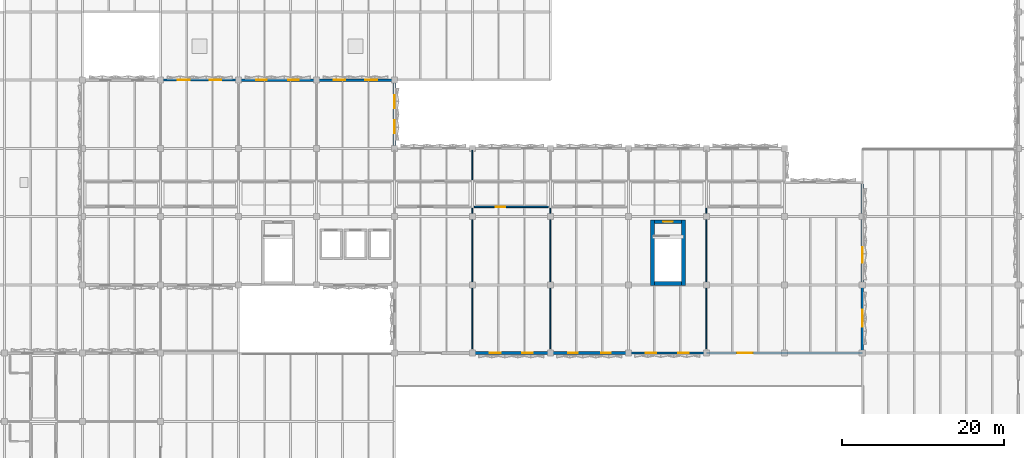
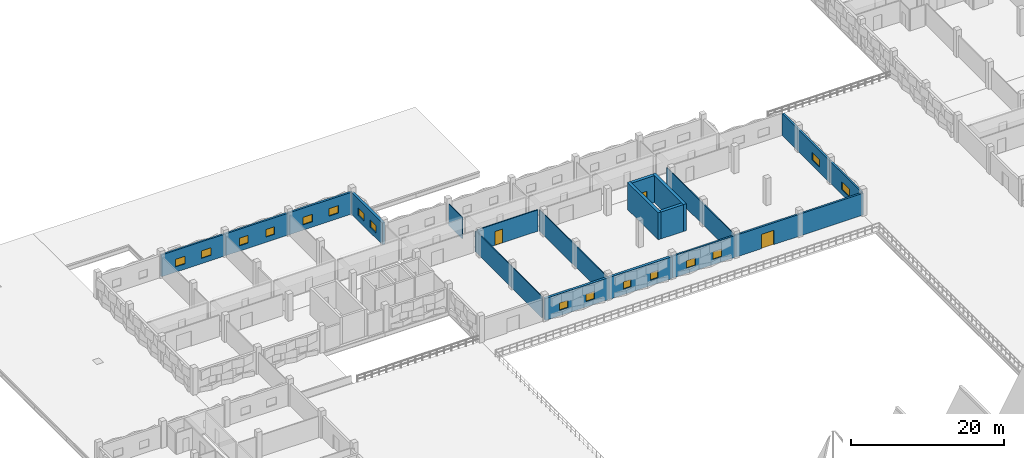
# One storey, part 58 of 86: 19 walls, 16 windows, 3 doors, 19 openings.
"""IFC4 building model written with IfcOpenShell, lengths in metres."""

from ifc_helpers import new_model, si_unit, direction, frame, frame_2d, origin, place, context, subcontext, project, spatial, rectangle, extrude, material, layer, layer_set, type_object, element, fill, save


model = new_model("IFC4")

# Units and contexts
model_context = context("Model", 3, precision=1e-05, world=origin(), true_north=direction((0.0, 1.0)))
body_context = subcontext(model_context, "Body", "Model", "MODEL_VIEW")
ifc_project = project(units=[si_unit("LENGTHUNIT", "METRE"), si_unit("AREAUNIT", "SQUARE_METRE"), si_unit("VOLUMEUNIT", "CUBIC_METRE"), si_unit("PLANEANGLEUNIT", "RADIAN"), si_unit("MASSUNIT", "GRAM", prefix="KILO")], contexts=[model_context])

# Site, building, storey
site_placement = place(None, origin())
site = spatial("IfcSite", under=ifc_project, at=site_placement, CompositionType="ELEMENT")
building_placement = place(site_placement, origin())
building = spatial("IfcBuilding", under=site, at=building_placement, Name="Oolite Switchyard Hospital", CompositionType="ELEMENT")
storey_placement = place(building_placement, frame((0.0, 0.0, 13.5)))
storey = spatial("IfcBuildingStorey", under=building, at=storey_placement, Name="L03", CompositionType="ELEMENT", Elevation=13.5)

# Wall, openings, windows
ifc_material_1 = material(Name="Precast oolitic limestone architectural concrete C40/50", Category="masonry")
ifc_layer_1 = layer(ifc_material_1, 0.260009765625)
ifc_layer_set_1 = layer_set([ifc_layer_1], Name="WAL-EXT-260")
wall_type_1 = type_object("IfcWallType", Name="WAL-EXT-260", PredefinedType="SOLIDWALL", material=ifc_layer_set_1)
wall_1_placement = place(storey_placement, frame((96.0, 84.0, 0.0), z_axis=(0.0, 0.0, 1.0), x_axis=(-1.0, 0.0, 0.0)))
wall_1 = element("IfcWall", 1, at=wall_1_placement, inside=storey, type_object=wall_type_1, Name="L03 Exterior Spandrel Wall 186", PredefinedType="SOLIDWALL", context=body_context, shape_type="SweptSolid", body=[
    extrude(rectangle(XDim=9.60009765625, YDim=0.260009765625, at=frame_2d((4.800048828125, 0.0))), origin(), (0.0, 0.0, 1.0), 3.489990234375),
])
opening_1_placement = place(wall_1_placement, frame((2.157958984375, 0.0, 0.85009765625)))
opening_1 = element("IfcOpeningElement", 2, at=opening_1_placement, cuts=wall_1, Name="Opening WN-0079", PredefinedType="OPENING", context=body_context, shape_type="SweptSolid", body=[
    extrude(rectangle(XDim=1.300048828125, YDim=1.199951171875, at=frame_2d((0.64990234375, 0.60009765625))), frame((0.0, 0.14013671875, 0.0), z_axis=(0.0, -1.0, 0.0), x_axis=(1.0, 0.0, 0.0)), (0.0, 0.0, 1.0), 0.280029296875),
])
opening_2_placement = place(wall_1_placement, frame((6.14208984375, 0.0, 0.85009765625)))
opening_2 = element("IfcOpeningElement", 3, at=opening_2_placement, cuts=wall_1, Name="Opening WN-0080", PredefinedType="OPENING", context=body_context, shape_type="SweptSolid", body=[
    extrude(rectangle(XDim=1.300048828125, YDim=1.199951171875, at=frame_2d((0.64990234375, 0.60009765625))), frame((0.0, 0.14013671875, 0.0), z_axis=(0.0, -1.0, 0.0), x_axis=(1.0, 0.0, 0.0)), (0.0, 0.0, 1.0), 0.280029296875),
])
ifc_material_2 = material(Name="Thermally broken aluminum frame with laminated impact glazing", Category="aluminium")
window_type_1 = type_object("IfcWindowType", Name="WIN-IMP-130X120", PartitioningType="SINGLE_PANEL", PredefinedType="WINDOW", material=ifc_material_2)
window_1_placement = place(opening_1_placement, origin())
window_1 = element("IfcWindow", 4, at=window_1_placement, inside=storey, type_object=window_type_1, Name="L03 Hurricane Impact Window WN-0079", OverallHeight=1.199951171875, OverallWidth=1.300048828125, PartitioningType="SINGLE_PANEL", PredefinedType="WINDOW", context=body_context, shape_type="SweptSolid", body=[
    extrude(rectangle(XDim=1.300048828125, YDim=1.199951171875, at=frame_2d((0.64990234375, 0.60009765625))), frame((0.0, 0.030029296875, 0.0), z_axis=(0.0, -1.0, 0.0), x_axis=(1.0, 0.0, 0.0)), (0.0, 0.0, 1.0), 0.06005859375),
])
fill(opening_1, window_1)
window_2_placement = place(opening_2_placement, origin())
window_2 = element("IfcWindow", 5, at=window_2_placement, inside=storey, type_object=window_type_1, Name="L03 Hurricane Impact Window WN-0080", OverallHeight=1.199951171875, OverallWidth=1.300048828125, PartitioningType="SINGLE_PANEL", PredefinedType="WINDOW", context=body_context, shape_type="SweptSolid", body=[
    extrude(rectangle(XDim=1.300048828125, YDim=1.199951171875, at=frame_2d((0.64990234375, 0.60009765625))), frame((0.0, 0.030029296875, 0.0), z_axis=(0.0, -1.0, 0.0), x_axis=(1.0, 0.0, 0.0)), (0.0, 0.0, 1.0), 0.06005859375),
])
fill(opening_2, window_2)

wall_2_placement = place(storey_placement, frame((28.800048828125, 117.60009765625, 0.0), z_axis=(0.0, 0.0, 1.0), x_axis=(1.0, 0.0, 0.0)))
wall_2 = element("IfcWall", 6, at=wall_2_placement, inside=storey, type_object=wall_type_1, Name="L03 Exterior Spandrel Wall 207", PredefinedType="SOLIDWALL", context=body_context, shape_type="SweptSolid", body=[
    extrude(rectangle(XDim=9.599853515625, YDim=0.260009765625, at=frame_2d((4.7998046875, 0.0))), origin(), (0.0, 0.0, 1.0), 3.489990234375),
])
opening_3_placement = place(wall_2_placement, frame((2.118896484375, 0.0, 0.85009765625)))
opening_3 = element("IfcOpeningElement", 7, at=opening_3_placement, cuts=wall_2, Name="Opening WN-0115", PredefinedType="OPENING", context=body_context, shape_type="SweptSolid", body=[
    extrude(rectangle(XDim=1.449951171875, YDim=1.199951171875, at=frame_2d((0.72509765625, 0.60009765625))), frame((0.0, 0.14013671875, 0.0), z_axis=(0.0, -1.0, 0.0), x_axis=(1.0, 0.0, 0.0)), (0.0, 0.0, 1.0), 0.280029296875),
])
opening_4_placement = place(wall_2_placement, frame((6.031005859375, 0.0, 0.85009765625)))
opening_4 = element("IfcOpeningElement", 8, at=opening_4_placement, cuts=wall_2, Name="Opening WN-0116", PredefinedType="OPENING", context=body_context, shape_type="SweptSolid", body=[
    extrude(rectangle(XDim=1.449951171875, YDim=1.199951171875, at=frame_2d((0.72509765625, 0.60009765625))), frame((0.0, 0.14013671875, 0.0), z_axis=(0.0, -1.0, 0.0), x_axis=(1.0, 0.0, 0.0)), (0.0, 0.0, 1.0), 0.280029296875),
])
window_type_2 = type_object("IfcWindowType", Name="WIN-IMP-145X120", PartitioningType="SINGLE_PANEL", PredefinedType="WINDOW", material=ifc_material_2)
window_3_placement = place(opening_3_placement, origin())
window_3 = element("IfcWindow", 9, at=window_3_placement, inside=storey, type_object=window_type_2, Name="L03 Hurricane Impact Window WN-0115", OverallHeight=1.199951171875, OverallWidth=1.449951171875, PartitioningType="SINGLE_PANEL", PredefinedType="WINDOW", context=body_context, shape_type="SweptSolid", body=[
    extrude(rectangle(XDim=1.449951171875, YDim=1.199951171875, at=frame_2d((0.72509765625, 0.60009765625))), frame((0.0, 0.030029296875, 0.0), z_axis=(0.0, -1.0, 0.0), x_axis=(1.0, 0.0, 0.0)), (0.0, 0.0, 1.0), 0.06005859375),
])
fill(opening_3, window_3)
window_4_placement = place(opening_4_placement, origin())
window_4 = element("IfcWindow", 10, at=window_4_placement, inside=storey, type_object=window_type_2, Name="L03 Hurricane Impact Window WN-0116", OverallHeight=1.199951171875, OverallWidth=1.449951171875, PartitioningType="SINGLE_PANEL", PredefinedType="WINDOW", context=body_context, shape_type="SweptSolid", body=[
    extrude(rectangle(XDim=1.449951171875, YDim=1.199951171875, at=frame_2d((0.72509765625, 0.60009765625))), frame((0.0, 0.030029296875, 0.0), z_axis=(0.0, -1.0, 0.0), x_axis=(1.0, 0.0, 0.0)), (0.0, 0.0, 1.0), 0.06005859375),
])
fill(opening_4, window_4)

# Wall, opening, window
wall_3_placement = place(storey_placement, frame((115.199951171875, 92.39990234375, 0.0), z_axis=(0.0, 0.0, 1.0), x_axis=(0.0, -1.0, 0.0)))
wall_3 = element("IfcWall", 11, at=wall_3_placement, inside=storey, type_object=wall_type_1, Name="L03 Exterior Spandrel Wall 235", PredefinedType="SOLIDWALL", context=body_context, shape_type="SweptSolid", body=[
    extrude(rectangle(XDim=8.239990234375, YDim=0.260009765625, at=frame_2d((4.1201171875, 0.0))), origin(), (0.0, 0.0, 1.0), 3.489990234375),
])
opening_5_placement = place(wall_3_placement, frame((3.094970703125, 0.0, 0.85009765625)))
opening_5 = element("IfcOpeningElement", 12, at=opening_5_placement, cuts=wall_3, Name="Opening WN-0137", PredefinedType="OPENING", context=body_context, shape_type="SweptSolid", body=[
    extrude(rectangle(XDim=2.050048828125, YDim=1.199951171875, at=frame_2d((1.02490234375, 0.60009765625))), frame((0.0, 0.14013671875, 0.0), z_axis=(0.0, -1.0, 0.0), x_axis=(1.0, 0.0, 0.0)), (0.0, 0.0, 1.0), 0.280029296875),
])
window_type_3 = type_object("IfcWindowType", Name="WIN-IMP-205X120", PartitioningType="SINGLE_PANEL", PredefinedType="WINDOW", material=ifc_material_2)
window_5_placement = place(opening_5_placement, origin())
window_5 = element("IfcWindow", 13, at=window_5_placement, inside=storey, type_object=window_type_3, Name="L03 Hurricane Impact Window WN-0137", OverallHeight=1.199951171875, OverallWidth=2.050048828125, PartitioningType="SINGLE_PANEL", PredefinedType="WINDOW", context=body_context, shape_type="SweptSolid", body=[
    extrude(rectangle(XDim=2.050048828125, YDim=1.199951171875, at=frame_2d((1.02490234375, 0.60009765625))), frame((0.0, 0.030029296875, 0.0), z_axis=(0.0, -1.0, 0.0), x_axis=(1.0, 0.0, 0.0)), (0.0, 0.0, 1.0), 0.06005859375),
])
fill(opening_5, window_5)

# Wall, opening, door
ifc_layer_2 = layer(ifc_material_1, 0.280029296875)
ifc_layer_set_2 = layer_set([ifc_layer_2], Name="WAL-EXT-280")
wall_type_2 = type_object("IfcWallType", Name="WAL-EXT-280", PredefinedType="SOLIDWALL", material=ifc_layer_set_2)
wall_4_placement = place(storey_placement, frame((115.199951171875, 84.0, 0.0), z_axis=(0.0, 0.0, 1.0), x_axis=(-1.0, 0.0, 0.0)))
wall_4 = element("IfcWall", 14, at=wall_4_placement, inside=storey, type_object=wall_type_2, Name="L03 Exterior Spandrel Wall 187", PredefinedType="SOLIDWALL", context=body_context, shape_type="SweptSolid", body=[
    extrude(rectangle(XDim=19.199951171875, YDim=0.280029296875, at=frame_2d((9.60009765625, 0.0))), origin(), (0.0, 0.0, 1.0), 3.489990234375),
])
opening_6_placement = place(wall_4_placement, frame((13.5, 0.0, 0.0)))
opening_6 = element("IfcOpeningElement", 15, at=opening_6_placement, cuts=wall_4, Name="Opening EX-21", PredefinedType="OPENING", context=body_context, shape_type="SweptSolid", body=[
    extrude(rectangle(XDim=1.89990234375, YDim=2.300048828125, at=frame_2d((0.949951171875, 1.14990234375))), frame((0.0, 0.14990234375, 0.0), z_axis=(0.0, -1.0, 0.0), x_axis=(1.0, 0.0, 0.0)), (0.0, 0.0, 1.0), 0.300048828125),
])
door_type_1 = type_object("IfcDoorType", Name="DR-TER-190X230", OperationType="NOTDEFINED", PredefinedType="DOOR", material=ifc_material_2)
door_1_placement = place(opening_6_placement, origin())
door_1 = element("IfcDoor", 16, at=door_1_placement, inside=storey, type_object=door_type_1, Name="L03 Exterior EX EX-21", OperationType="DOUBLE_DOOR_SINGLE_SWING", OverallHeight=2.300048828125, OverallWidth=1.89990234375, PredefinedType="DOOR", context=body_context, shape_type="SweptSolid", body=[
    extrude(rectangle(XDim=1.89990234375, YDim=2.300048828125, at=frame_2d((0.949951171875, 1.14990234375))), frame((0.0, 0.02490234375, 0.0), z_axis=(0.0, -1.0, 0.0), x_axis=(1.0, 0.0, 0.0)), (0.0, 0.0, 1.0), 0.050048828125),
])
fill(opening_6, door_1)

# Wall, openings, windows
wall_5_placement = place(storey_placement, frame((38.39990234375, 117.60009765625, 0.0), z_axis=(0.0, 0.0, 1.0), x_axis=(1.0, 0.0, 0.0)))
wall_5 = element("IfcWall", 17, at=wall_5_placement, inside=storey, type_object=wall_type_2, Name="L03 Exterior Spandrel Wall 208", PredefinedType="SOLIDWALL", context=body_context, shape_type="SweptSolid", body=[
    extrude(rectangle(XDim=9.60009765625, YDim=0.280029296875, at=frame_2d((4.800048828125, 0.0))), origin(), (0.0, 0.0, 1.0), 3.489990234375),
])
opening_7_placement = place(wall_5_placement, frame((2.157958984375, 0.0, 0.85009765625)))
opening_7 = element("IfcOpeningElement", 18, at=opening_7_placement, cuts=wall_5, Name="Opening WN-0117", PredefinedType="OPENING", context=body_context, shape_type="SweptSolid", body=[
    extrude(rectangle(XDim=1.300048828125, YDim=1.199951171875, at=frame_2d((0.64990234375, 0.60009765625))), frame((0.0, 0.14990234375, 0.0), z_axis=(0.0, -1.0, 0.0), x_axis=(1.0, 0.0, 0.0)), (0.0, 0.0, 1.0), 0.300048828125),
])
opening_8_placement = place(wall_5_placement, frame((6.14208984375, 0.0, 0.85009765625)))
opening_8 = element("IfcOpeningElement", 19, at=opening_8_placement, cuts=wall_5, Name="Opening WN-0118", PredefinedType="OPENING", context=body_context, shape_type="SweptSolid", body=[
    extrude(rectangle(XDim=1.300048828125, YDim=1.199951171875, at=frame_2d((0.64990234375, 0.60009765625))), frame((0.0, 0.14990234375, 0.0), z_axis=(0.0, -1.0, 0.0), x_axis=(1.0, 0.0, 0.0)), (0.0, 0.0, 1.0), 0.300048828125),
])
window_6_placement = place(opening_7_placement, origin())
window_6 = element("IfcWindow", 20, at=window_6_placement, inside=storey, type_object=window_type_1, Name="L03 Hurricane Impact Window WN-0117", OverallHeight=1.199951171875, OverallWidth=1.300048828125, PartitioningType="SINGLE_PANEL", PredefinedType="WINDOW", context=body_context, shape_type="SweptSolid", body=[
    extrude(rectangle(XDim=1.300048828125, YDim=1.199951171875, at=frame_2d((0.64990234375, 0.60009765625))), frame((0.0, 0.030029296875, 0.0), z_axis=(0.0, -1.0, 0.0), x_axis=(1.0, 0.0, 0.0)), (0.0, 0.0, 1.0), 0.06005859375),
])
fill(opening_7, window_6)
window_7_placement = place(opening_8_placement, origin())
window_7 = element("IfcWindow", 21, at=window_7_placement, inside=storey, type_object=window_type_1, Name="L03 Hurricane Impact Window WN-0118", OverallHeight=1.199951171875, OverallWidth=1.300048828125, PartitioningType="SINGLE_PANEL", PredefinedType="WINDOW", context=body_context, shape_type="SweptSolid", body=[
    extrude(rectangle(XDim=1.300048828125, YDim=1.199951171875, at=frame_2d((0.64990234375, 0.60009765625))), frame((0.0, 0.030029296875, 0.0), z_axis=(0.0, -1.0, 0.0), x_axis=(1.0, 0.0, 0.0)), (0.0, 0.0, 1.0), 0.06005859375),
])
fill(opening_8, window_7)

# Wall, opening, window
wall_6_placement = place(storey_placement, frame((115.199951171875, 104.840087890625, 0.0), z_axis=(0.0, 0.0, 1.0), x_axis=(0.0, -1.0, 0.0)))
wall_6 = element("IfcWall", 22, at=wall_6_placement, inside=storey, type_object=wall_type_2, Name="L03 Exterior Spandrel Wall 236", PredefinedType="SOLIDWALL", context=body_context, shape_type="SweptSolid", body=[
    extrude(rectangle(XDim=12.440185546875, YDim=0.280029296875, at=frame_2d((6.22021484375, 0.0))), origin(), (0.0, 0.0, 1.0), 3.489990234375),
])
opening_9_placement = place(wall_6_placement, frame((7.800048828125, 0.0, 0.85009765625)))
opening_9 = element("IfcOpeningElement", 23, at=opening_9_placement, cuts=wall_6, Name="Opening WN-0138", PredefinedType="OPENING", context=body_context, shape_type="SweptSolid", body=[
    extrude(rectangle(XDim=1.89990234375, YDim=1.199951171875, at=frame_2d((0.949951171875, 0.60009765625))), frame((0.0, 0.14990234375, 0.0), z_axis=(0.0, -1.0, 0.0), x_axis=(1.0, 0.0, 0.0)), (0.0, 0.0, 1.0), 0.300048828125),
])
window_type_4 = type_object("IfcWindowType", Name="WIN-IMP-190X120", PartitioningType="SINGLE_PANEL", PredefinedType="WINDOW", material=ifc_material_2)
window_8_placement = place(opening_9_placement, origin())
window_8 = element("IfcWindow", 24, at=window_8_placement, inside=storey, type_object=window_type_4, Name="L03 Hurricane Impact Window WN-0138", OverallHeight=1.199951171875, OverallWidth=1.89990234375, PartitioningType="SINGLE_PANEL", PredefinedType="WINDOW", context=body_context, shape_type="SweptSolid", body=[
    extrude(rectangle(XDim=1.89990234375, YDim=1.199951171875, at=frame_2d((0.949951171875, 0.60009765625))), frame((0.0, 0.030029296875, 0.0), z_axis=(0.0, -1.0, 0.0), x_axis=(1.0, 0.0, 0.0)), (0.0, 0.0, 1.0), 0.06005859375),
])
fill(opening_9, window_8)

# Wall, openings, windows
ifc_layer_3 = layer(ifc_material_1, 0.300048828125)
ifc_layer_set_3 = layer_set([ifc_layer_3], Name="WAL-EXT-300")
wall_type_3 = type_object("IfcWallType", Name="WAL-EXT-300", PredefinedType="SOLIDWALL", material=ifc_layer_set_3)
wall_7_placement = place(storey_placement, frame((48.0, 117.60009765625, 0.0), z_axis=(0.0, 0.0, 1.0), x_axis=(1.0, 0.0, 0.0)))
wall_7 = element("IfcWall", 25, at=wall_7_placement, inside=storey, type_object=wall_type_3, Name="L03 Exterior Spandrel Wall 209", PredefinedType="SOLIDWALL", context=body_context, shape_type="SweptSolid", body=[
    extrude(rectangle(XDim=9.60009765625, YDim=0.300048828125, at=frame_2d((4.800048828125, 0.0))), origin(), (0.0, 0.0, 1.0), 3.489990234375),
])
opening_10_placement = place(wall_7_placement, frame((2.118896484375, 0.0, 0.85009765625)))
opening_10 = element("IfcOpeningElement", 26, at=opening_10_placement, cuts=wall_7, Name="Opening WN-0119", PredefinedType="OPENING", context=body_context, shape_type="SweptSolid", body=[
    extrude(rectangle(XDim=1.449951171875, YDim=1.199951171875, at=frame_2d((0.72509765625, 0.60009765625))), frame((0.0, 0.16015625, 0.0), z_axis=(0.0, -1.0, 0.0), x_axis=(1.0, 0.0, 0.0)), (0.0, 0.0, 1.0), 0.320068359375),
])
opening_11_placement = place(wall_7_placement, frame((6.031005859375, 0.0, 0.85009765625)))
opening_11 = element("IfcOpeningElement", 27, at=opening_11_placement, cuts=wall_7, Name="Opening WN-0120", PredefinedType="OPENING", context=body_context, shape_type="SweptSolid", body=[
    extrude(rectangle(XDim=1.449951171875, YDim=1.199951171875, at=frame_2d((0.72509765625, 0.60009765625))), frame((0.0, 0.16015625, 0.0), z_axis=(0.0, -1.0, 0.0), x_axis=(1.0, 0.0, 0.0)), (0.0, 0.0, 1.0), 0.320068359375),
])
window_9_placement = place(opening_10_placement, origin())
window_9 = element("IfcWindow", 28, at=window_9_placement, inside=storey, type_object=window_type_2, Name="L03 Hurricane Impact Window WN-0119", OverallHeight=1.199951171875, OverallWidth=1.449951171875, PartitioningType="SINGLE_PANEL", PredefinedType="WINDOW", context=body_context, shape_type="SweptSolid", body=[
    extrude(rectangle(XDim=1.449951171875, YDim=1.199951171875, at=frame_2d((0.72509765625, 0.60009765625))), frame((0.0, 0.030029296875, 0.0), z_axis=(0.0, -1.0, 0.0), x_axis=(1.0, 0.0, 0.0)), (0.0, 0.0, 1.0), 0.06005859375),
])
fill(opening_10, window_9)
window_10_placement = place(opening_11_placement, origin())
window_10 = element("IfcWindow", 29, at=window_10_placement, inside=storey, type_object=window_type_2, Name="L03 Hurricane Impact Window WN-0120", OverallHeight=1.199951171875, OverallWidth=1.449951171875, PartitioningType="SINGLE_PANEL", PredefinedType="WINDOW", context=body_context, shape_type="SweptSolid", body=[
    extrude(rectangle(XDim=1.449951171875, YDim=1.199951171875, at=frame_2d((0.72509765625, 0.60009765625))), frame((0.0, 0.030029296875, 0.0), z_axis=(0.0, -1.0, 0.0), x_axis=(1.0, 0.0, 0.0)), (0.0, 0.0, 1.0), 0.06005859375),
])
fill(opening_11, window_10)

ifc_layer_4 = layer(ifc_material_1, 0.360107421875)
ifc_layer_set_4 = layer_set([ifc_layer_4], Name="WAL-EXT-360")
wall_type_4 = type_object("IfcWallType", Name="WAL-EXT-360", PredefinedType="SOLIDWALL", material=ifc_layer_set_4)
wall_8_placement = place(storey_placement, frame((76.800048828125, 84.0, 0.0), z_axis=(0.0, 0.0, 1.0), x_axis=(-1.0, 0.0, 0.0)))
wall_8 = element("IfcWall", 30, at=wall_8_placement, inside=storey, type_object=wall_type_4, Name="L03 Exterior Spandrel Wall 184", PredefinedType="SOLIDWALL", context=body_context, shape_type="SweptSolid", body=[
    extrude(rectangle(XDim=9.60009765625, YDim=0.360107421875, at=frame_2d((4.800048828125, 0.0))), origin(), (0.0, 0.0, 1.0), 3.489990234375),
])
opening_12_placement = place(wall_8_placement, frame((2.157958984375, 0.0, 0.85009765625)))
opening_12 = element("IfcOpeningElement", 31, at=opening_12_placement, cuts=wall_8, Name="Opening WN-0075", PredefinedType="OPENING", context=body_context, shape_type="SweptSolid", body=[
    extrude(rectangle(XDim=1.300048828125, YDim=1.199951171875, at=frame_2d((0.64990234375, 0.60009765625))), frame((0.0, 0.18994140625, 0.0), z_axis=(0.0, -1.0, 0.0), x_axis=(1.0, 0.0, 0.0)), (0.0, 0.0, 1.0), 0.380126953125),
])
opening_13_placement = place(wall_8_placement, frame((6.14208984375, 0.0, 0.85009765625)))
opening_13 = element("IfcOpeningElement", 32, at=opening_13_placement, cuts=wall_8, Name="Opening WN-0076", PredefinedType="OPENING", context=body_context, shape_type="SweptSolid", body=[
    extrude(rectangle(XDim=1.300048828125, YDim=1.199951171875, at=frame_2d((0.64990234375, 0.60009765625))), frame((0.0, 0.18994140625, 0.0), z_axis=(0.0, -1.0, 0.0), x_axis=(1.0, 0.0, 0.0)), (0.0, 0.0, 1.0), 0.380126953125),
])
window_11_placement = place(opening_12_placement, origin())
window_11 = element("IfcWindow", 33, at=window_11_placement, inside=storey, type_object=window_type_1, Name="L03 Hurricane Impact Window WN-0075", OverallHeight=1.199951171875, OverallWidth=1.300048828125, PartitioningType="SINGLE_PANEL", PredefinedType="WINDOW", context=body_context, shape_type="SweptSolid", body=[
    extrude(rectangle(XDim=1.300048828125, YDim=1.199951171875, at=frame_2d((0.64990234375, 0.60009765625))), frame((0.0, 0.030029296875, 0.0), z_axis=(0.0, -1.0, 0.0), x_axis=(1.0, 0.0, 0.0)), (0.0, 0.0, 1.0), 0.06005859375),
])
fill(opening_12, window_11)
window_12_placement = place(opening_13_placement, origin())
window_12 = element("IfcWindow", 34, at=window_12_placement, inside=storey, type_object=window_type_1, Name="L03 Hurricane Impact Window WN-0076", OverallHeight=1.199951171875, OverallWidth=1.300048828125, PartitioningType="SINGLE_PANEL", PredefinedType="WINDOW", context=body_context, shape_type="SweptSolid", body=[
    extrude(rectangle(XDim=1.300048828125, YDim=1.199951171875, at=frame_2d((0.64990234375, 0.60009765625))), frame((0.0, 0.030029296875, 0.0), z_axis=(0.0, -1.0, 0.0), x_axis=(1.0, 0.0, 0.0)), (0.0, 0.0, 1.0), 0.06005859375),
])
fill(opening_13, window_12)

wall_9_placement = place(storey_placement, frame((57.60009765625, 117.43994140625, 0.0), z_axis=(0.0, 0.0, 1.0), x_axis=(0.0, -1.0, 0.0)))
wall_9 = element("IfcWall", 35, at=wall_9_placement, inside=storey, type_object=wall_type_4, Name="L03 Exterior Spandrel Wall 233", PredefinedType="SOLIDWALL", context=body_context, shape_type="SweptSolid", body=[
    extrude(rectangle(XDim=8.079833984375, YDim=0.360107421875, at=frame_2d((4.0400390625, 0.0))), origin(), (0.0, 0.0, 1.0), 3.489990234375),
])
opening_14_placement = place(wall_9_placement, frame((1.68505859375, 0.0, 0.85009765625)))
opening_14 = element("IfcOpeningElement", 36, at=opening_14_placement, cuts=wall_9, Name="Opening WN-0135", PredefinedType="OPENING", context=body_context, shape_type="SweptSolid", body=[
    extrude(rectangle(XDim=1.60009765625, YDim=1.199951171875, at=frame_2d((0.800048828125, 0.60009765625))), frame((0.0, 0.18994140625, 0.0), z_axis=(0.0, -1.0, 0.0), x_axis=(1.0, 0.0, 0.0)), (0.0, 0.0, 1.0), 0.380126953125),
])
opening_15_placement = place(wall_9_placement, frame((4.794921875, 0.0, 0.85009765625)))
opening_15 = element("IfcOpeningElement", 37, at=opening_15_placement, cuts=wall_9, Name="Opening WN-0136", PredefinedType="OPENING", context=body_context, shape_type="SweptSolid", body=[
    extrude(rectangle(XDim=1.60009765625, YDim=1.199951171875, at=frame_2d((0.800048828125, 0.60009765625))), frame((0.0, 0.18994140625, 0.0), z_axis=(0.0, -1.0, 0.0), x_axis=(1.0, 0.0, 0.0)), (0.0, 0.0, 1.0), 0.380126953125),
])
window_type_5 = type_object("IfcWindowType", Name="WIN-IMP-160X120", PartitioningType="SINGLE_PANEL", PredefinedType="WINDOW", material=ifc_material_2)
window_13_placement = place(opening_14_placement, origin())
window_13 = element("IfcWindow", 38, at=window_13_placement, inside=storey, type_object=window_type_5, Name="L03 Hurricane Impact Window WN-0135", OverallHeight=1.199951171875, OverallWidth=1.60009765625, PartitioningType="SINGLE_PANEL", PredefinedType="WINDOW", context=body_context, shape_type="SweptSolid", body=[
    extrude(rectangle(XDim=1.60009765625, YDim=1.199951171875, at=frame_2d((0.800048828125, 0.60009765625))), frame((0.0, 0.030029296875, 0.0), z_axis=(0.0, -1.0, 0.0), x_axis=(1.0, 0.0, 0.0)), (0.0, 0.0, 1.0), 0.06005859375),
])
fill(opening_14, window_13)
window_14_placement = place(opening_15_placement, origin())
window_14 = element("IfcWindow", 39, at=window_14_placement, inside=storey, type_object=window_type_5, Name="L03 Hurricane Impact Window WN-0136", OverallHeight=1.199951171875, OverallWidth=1.60009765625, PartitioningType="SINGLE_PANEL", PredefinedType="WINDOW", context=body_context, shape_type="SweptSolid", body=[
    extrude(rectangle(XDim=1.60009765625, YDim=1.199951171875, at=frame_2d((0.800048828125, 0.60009765625))), frame((0.0, 0.030029296875, 0.0), z_axis=(0.0, -1.0, 0.0), x_axis=(1.0, 0.0, 0.0)), (0.0, 0.0, 1.0), 0.06005859375),
])
fill(opening_15, window_14)

ifc_layer_5 = layer(ifc_material_1, 0.3798828125)
ifc_layer_set_5 = layer_set([ifc_layer_5], Name="WAL-EXT-380")
wall_type_5 = type_object("IfcWallType", Name="WAL-EXT-380", PredefinedType="SOLIDWALL", material=ifc_layer_set_5)
wall_10_placement = place(storey_placement, frame((86.39990234375, 84.0, 0.0), z_axis=(0.0, 0.0, 1.0), x_axis=(-1.0, 0.0, 0.0)))
wall_10 = element("IfcWall", 40, at=wall_10_placement, inside=storey, type_object=wall_type_5, Name="L03 Exterior Spandrel Wall 185", PredefinedType="SOLIDWALL", context=body_context, shape_type="SweptSolid", body=[
    extrude(rectangle(XDim=9.599853515625, YDim=0.3798828125, at=frame_2d((4.7998046875, 0.0))), origin(), (0.0, 0.0, 1.0), 3.489990234375),
])
opening_16_placement = place(wall_10_placement, frame((2.197021484375, 0.0, 0.85009765625)))
opening_16 = element("IfcOpeningElement", 41, at=opening_16_placement, cuts=wall_10, Name="Opening WN-0077", PredefinedType="OPENING", context=body_context, shape_type="SweptSolid", body=[
    extrude(rectangle(XDim=1.14990234375, YDim=1.199951171875, at=frame_2d((0.574951171875, 0.60009765625))), frame((0.0, 0.199951171875, 0.0), z_axis=(0.0, -1.0, 0.0), x_axis=(1.0, 0.0, 0.0)), (0.0, 0.0, 1.0), 0.39990234375),
])
opening_17_placement = place(wall_10_placement, frame((6.2529296875, 0.0, 0.85009765625)))
opening_17 = element("IfcOpeningElement", 42, at=opening_17_placement, cuts=wall_10, Name="Opening WN-0078", PredefinedType="OPENING", context=body_context, shape_type="SweptSolid", body=[
    extrude(rectangle(XDim=1.14990234375, YDim=1.199951171875, at=frame_2d((0.574951171875, 0.60009765625))), frame((0.0, 0.199951171875, 0.0), z_axis=(0.0, -1.0, 0.0), x_axis=(1.0, 0.0, 0.0)), (0.0, 0.0, 1.0), 0.39990234375),
])
window_type_6 = type_object("IfcWindowType", Name="WIN-IMP-115X120", PartitioningType="SINGLE_PANEL", PredefinedType="WINDOW", material=ifc_material_2)
window_15_placement = place(opening_16_placement, origin())
window_15 = element("IfcWindow", 43, at=window_15_placement, inside=storey, type_object=window_type_6, Name="L03 Hurricane Impact Window WN-0077", OverallHeight=1.199951171875, OverallWidth=1.14990234375, PartitioningType="SINGLE_PANEL", PredefinedType="WINDOW", context=body_context, shape_type="SweptSolid", body=[
    extrude(rectangle(XDim=1.14990234375, YDim=1.199951171875, at=frame_2d((0.574951171875, 0.60009765625))), frame((0.0, 0.030029296875, 0.0), z_axis=(0.0, -1.0, 0.0), x_axis=(1.0, 0.0, 0.0)), (0.0, 0.0, 1.0), 0.06005859375),
])
fill(opening_16, window_15)
window_16_placement = place(opening_17_placement, origin())
window_16 = element("IfcWindow", 44, at=window_16_placement, inside=storey, type_object=window_type_6, Name="L03 Hurricane Impact Window WN-0078", OverallHeight=1.199951171875, OverallWidth=1.14990234375, PartitioningType="SINGLE_PANEL", PredefinedType="WINDOW", context=body_context, shape_type="SweptSolid", body=[
    extrude(rectangle(XDim=1.14990234375, YDim=1.199951171875, at=frame_2d((0.574951171875, 0.60009765625))), frame((0.0, 0.030029296875, 0.0), z_axis=(0.0, -1.0, 0.0), x_axis=(1.0, 0.0, 0.0)), (0.0, 0.0, 1.0), 0.06005859375),
])
fill(opening_17, window_16)

# Walls
ifc_material_3 = material(Name="Moisture-resistant gypsum board on steel studs", Category="steel")
ifc_layer_6 = layer(ifc_material_3, 0.135009765625)
ifc_layer_set_6 = layer_set([ifc_layer_6], Name="WAL-PART-135")
wall_type_6 = type_object("IfcWallType", Name="WAL-PART-135", PredefinedType="PARTITIONING", material=ifc_layer_set_6)
wall_11_placement = place(storey_placement, frame((67.199951171875, 84.550048828125, 0.0), z_axis=(0.0, 0.0, 1.0), x_axis=(0.0, 1.0, 0.0)))
element("IfcWall", 45, at=wall_11_placement, inside=storey, type_object=wall_type_6, Name="L03 Interior Partition 619", PredefinedType="PARTITIONING", context=body_context, shape_type="SweptSolid", body=[
    extrude(rectangle(XDim=17.300048828125, YDim=0.135009765625, at=frame_2d((8.64990234375, 0.0))), origin(), (0.0, 0.0, 1.0), 3.39990234375),
])
wall_12_placement = place(storey_placement, frame((67.199951171875, 105.35009765625, 0.0), z_axis=(0.0, 0.0, 1.0), x_axis=(0.0, 1.0, 0.0)))
element("IfcWall", 46, at=wall_12_placement, inside=storey, type_object=wall_type_6, Name="L03 Interior Partition 621", PredefinedType="PARTITIONING", context=body_context, shape_type="SweptSolid", body=[
    extrude(rectangle(XDim=3.64990234375, YDim=0.135009765625, at=frame_2d((1.824951171875, 0.0))), origin(), (0.0, 0.0, 1.0), 3.39990234375),
])
for number, where, z_axis, x_axis, name in (
    (47, (76.800048828125, 84.550048828125, 0.0), (0.0, 0.0, 1.0), (0.0, 1.0, 0.0), "L03 Interior Partition 623"),
    (48, (96.0, 84.550048828125, 0.0), (0.0, 0.0, 1.0), (0.0, 1.0, 0.0), "L03 Interior Partition 629"),
):
    element("IfcWall", number, at=place(storey_placement, frame(where, z_axis=z_axis, x_axis=x_axis)), inside=storey, type_object=wall_type_6, Name=name, PredefinedType="PARTITIONING", context=body_context, shape_type="SweptSolid", body=[
        extrude(rectangle(XDim=17.300048828125, YDim=0.135009765625, at=frame_2d((8.64990234375, 0.0))), origin(), (0.0, 0.0, 1.0), 3.39990234375),
    ])

# Wall, opening, door
ifc_layer_7 = layer(ifc_material_3, 0.1650390625)
ifc_layer_set_7 = layer_set([ifc_layer_7], Name="WAL-PART-165")
wall_type_7 = type_object("IfcWallType", Name="WAL-PART-165", PredefinedType="PARTITIONING", material=ifc_layer_set_7)
wall_13_placement = place(storey_placement, frame((67.449951171875, 102.0, 0.0), z_axis=(0.0, 0.0, 1.0), x_axis=(1.0, 0.0, 0.0)))
wall_13 = element("IfcWall", 49, at=wall_13_placement, inside=storey, type_object=wall_type_7, Name="L03 Interior Partition 618", PredefinedType="PARTITIONING", context=body_context, shape_type="SweptSolid", body=[
    extrude(rectangle(XDim=9.10009765625, YDim=0.1650390625, at=frame_2d((4.550048828125, 0.0))), origin(), (0.0, 0.0, 1.0), 3.39990234375),
])
opening_18_placement = place(wall_13_placement, frame((2.64990234375, 0.0, 0.0)))
opening_18 = element("IfcOpeningElement", 50, at=opening_18_placement, cuts=wall_13, Name="Opening D-0347", PredefinedType="OPENING", context=body_context, shape_type="SweptSolid", body=[
    extrude(rectangle(XDim=1.14990234375, YDim=2.199951171875, at=frame_2d((0.574951171875, 1.10009765625))), frame((0.0, 0.092529296875, 0.0), z_axis=(0.0, -1.0, 0.0), x_axis=(1.0, 0.0, 0.0)), (0.0, 0.0, 1.0), 0.18505859375),
])
ifc_material_4 = material(Name="Solid-core antimicrobial hardwood leaf in steel frame", Category="steel")
door_type_2 = type_object("IfcDoorType", Name="DR-CLIN-115X220", OperationType="NOTDEFINED", PredefinedType="DOOR", material=ifc_material_4)
door_2_placement = place(opening_18_placement, origin())
door_2 = element("IfcDoor", 51, at=door_2_placement, inside=storey, type_object=door_type_2, Name="L03 Interior Door D-0347", OperationType="SINGLE_SWING_RIGHT", OverallHeight=2.199951171875, OverallWidth=1.14990234375, PredefinedType="DOOR", context=body_context, shape_type="SweptSolid", body=[
    extrude(rectangle(XDim=1.14990234375, YDim=2.199951171875, at=frame_2d((0.574951171875, 1.10009765625))), frame((0.0, 0.02490234375, 0.0), z_axis=(0.0, -1.0, 0.0), x_axis=(1.0, 0.0, 0.0)), (0.0, 0.0, 1.0), 0.050048828125),
])
fill(opening_18, door_2)

# Walls
ifc_material_5 = material(Name="Concrete C50/60", Category="concrete")
ifc_layer_8 = layer(ifc_material_5, 0.449951171875)
ifc_layer_set_8 = layer_set([ifc_layer_8], Name="WAL-SHR-450")
wall_type_8 = type_object("IfcWallType", Name="WAL-SHR-450", PredefinedType="SHEAR", material=ifc_layer_set_8)
wall_14_placement = place(storey_placement, frame((89.375, 100.39990234375, 0.0), z_axis=(0.0, 0.0, 1.0), x_axis=(0.0, -1.0, 0.0)))
element("IfcWall", 52, at=wall_14_placement, inside=storey, type_object=wall_type_8, Name="L03 Core Shear Wall ST-09", PredefinedType="SHEAR", context=body_context, shape_type="SweptSolid", body=[
    extrude(rectangle(XDim=8.0498046875, YDim=0.449951171875, at=frame_2d((4.02490234375, 0.0))), origin(), (0.0, 0.0, 1.0), 4.300048828125),
])
wall_15_placement = place(storey_placement, frame((89.60009765625, 92.574951171875, 0.0), z_axis=(0.0, 0.0, 1.0), x_axis=(1.0, 0.0, 0.0)))
element("IfcWall", 53, at=wall_15_placement, inside=storey, type_object=wall_type_8, Name="L03 Core Shear Wall ST-09", PredefinedType="SHEAR", context=body_context, shape_type="SweptSolid", body=[
    extrude(rectangle(XDim=3.35986328125, YDim=0.449951171875, at=frame_2d((1.679931640625, 0.0))), origin(), (0.0, 0.0, 1.0), 4.300048828125),
])
wall_16_placement = place(storey_placement, frame((93.18505859375, 92.35009765625, 0.0), z_axis=(0.0, 0.0, 1.0), x_axis=(0.0, 1.0, 0.0)))
element("IfcWall", 54, at=wall_16_placement, inside=storey, type_object=wall_type_8, Name="L03 Core Shear Wall ST-09", PredefinedType="SHEAR", context=body_context, shape_type="SweptSolid", body=[
    extrude(rectangle(XDim=8.0498046875, YDim=0.449951171875, at=frame_2d((4.02490234375, 0.0))), origin(), (0.0, 0.0, 1.0), 4.300048828125),
])

# Wall, opening, door
wall_17_placement = place(storey_placement, frame((92.9599609375, 100.175048828125, 0.0), z_axis=(0.0, 0.0, 1.0), x_axis=(-1.0, 0.0, 0.0)))
wall_17 = element("IfcWall", 55, at=wall_17_placement, inside=storey, type_object=wall_type_8, Name="L03 Core Shear Wall ST-09", PredefinedType="SHEAR", context=body_context, shape_type="SweptSolid", body=[
    extrude(rectangle(XDim=3.35986328125, YDim=0.449951171875, at=frame_2d((1.679931640625, 0.0))), origin(), (0.0, 0.0, 1.0), 4.300048828125),
])
opening_19_placement = place(wall_17_placement, frame((1.080078125, 0.0, 0.0)))
opening_19 = element("IfcOpeningElement", 56, at=opening_19_placement, cuts=wall_17, Name="Opening SD-052", PredefinedType="OPENING", context=body_context, shape_type="SweptSolid", body=[
    extrude(rectangle(XDim=1.199951171875, YDim=2.199951171875, at=frame_2d((0.60009765625, 1.10009765625))), frame((0.0, 0.23486328125, 0.0), z_axis=(0.0, -1.0, 0.0), x_axis=(1.0, 0.0, 0.0)), (0.0, 0.0, 1.0), 0.469970703125),
])
ifc_material_6 = material(Name="Hollow metal fire-rated steel door assembly", Category="steel")
door_type_3 = type_object("IfcDoorType", Name="DR-STR-120X220", OperationType="NOTDEFINED", PredefinedType="DOOR", material=ifc_material_6)
door_3_placement = place(opening_19_placement, origin())
door_3 = element("IfcDoor", 57, at=door_3_placement, inside=storey, type_object=door_type_3, Name="L03 ST-09 Exit Stair Door SD-052", OperationType="SINGLE_SWING_RIGHT", OverallHeight=2.199951171875, OverallWidth=1.199951171875, PredefinedType="DOOR", context=body_context, shape_type="SweptSolid", body=[
    extrude(rectangle(XDim=1.199951171875, YDim=2.199951171875, at=frame_2d((0.60009765625, 1.10009765625))), frame((0.0, 0.02490234375, 0.0), z_axis=(0.0, -1.0, 0.0), x_axis=(1.0, 0.0, 0.0)), (0.0, 0.0, 1.0), 0.050048828125),
])
fill(opening_19, door_3)

save(model, "model.ifc")
